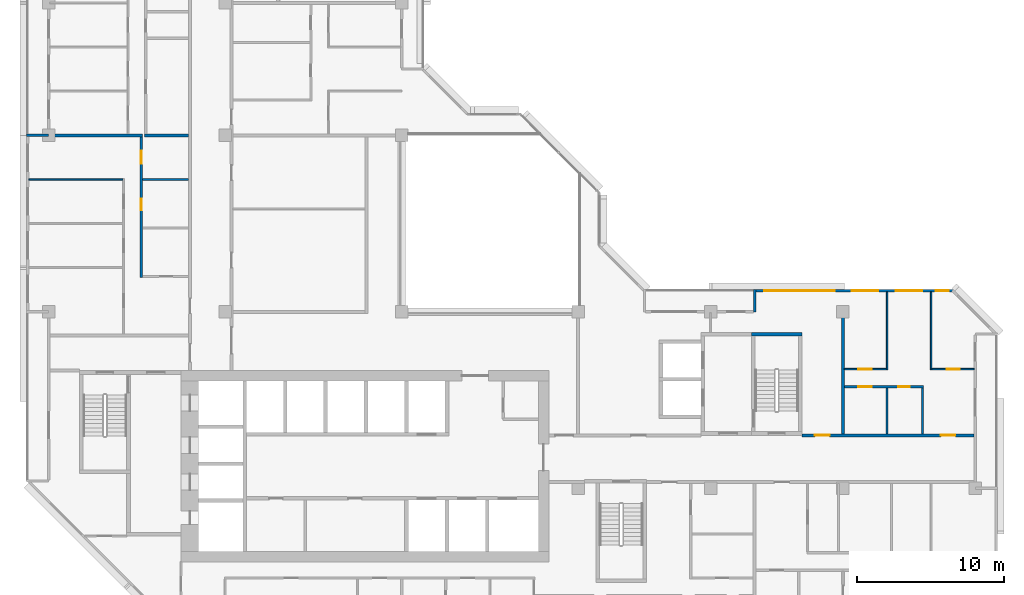
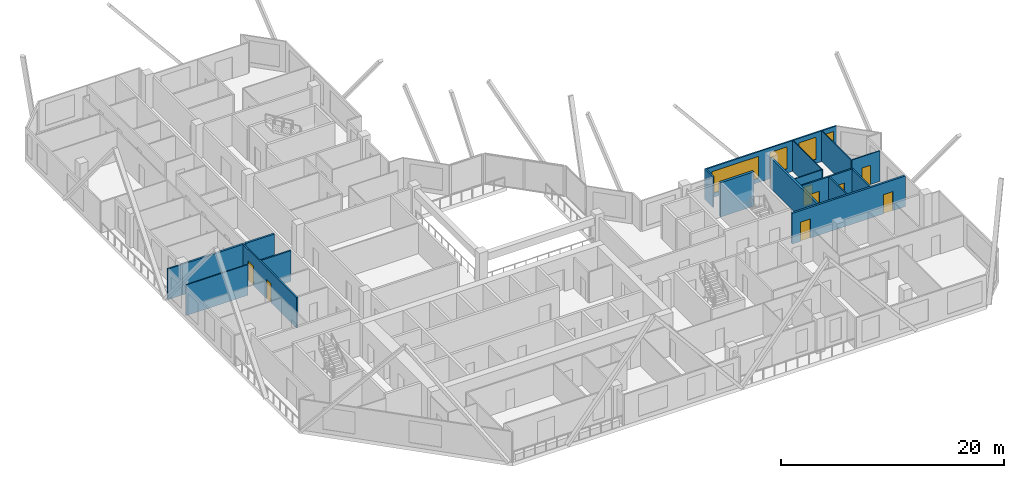
# One storey, part 8 of 15: 18 walls, 8 doors, 4 windows, 12 openings.
"""IFC4 building model written with IfcOpenShell, lengths in metres."""

from ifc_helpers import new_model, si_unit, direction, frame, frame_2d, origin, place, context, subcontext, project, spatial, rectangle, extrude, material, layer, layer_set, type_object, element, fill, save


model = new_model("IFC4")

# Units and contexts
model_context = context("Model", 3, precision=1e-05, world=origin(), true_north=direction((0.0, 1.0)))
body_context = subcontext(model_context, "Body", "Model", "MODEL_VIEW")
ifc_project = project(units=[si_unit("LENGTHUNIT", "METRE"), si_unit("AREAUNIT", "SQUARE_METRE"), si_unit("VOLUMEUNIT", "CUBIC_METRE"), si_unit("PLANEANGLEUNIT", "RADIAN"), si_unit("MASSUNIT", "GRAM", prefix="KILO")], contexts=[model_context])

# Site, building, storey
site_placement = place(None, origin())
site = spatial("IfcSite", under=ifc_project, at=site_placement, CompositionType="ELEMENT")
building_placement = place(site_placement, origin())
building = spatial("IfcBuilding", under=site, at=building_placement, Name="Chenar Terraces", CompositionType="ELEMENT")
storey_placement = place(building_placement, frame((0.0, 0.0, 245.39990234375)))
storey = spatial("IfcBuildingStorey", under=building, at=storey_placement, Name="L58", CompositionType="ELEMENT", Elevation=245.39990234375)

# Wall
ifc_material_1 = material(Name="Concrete C60/75", Category="concrete")
ifc_layer_1 = layer(ifc_material_1, 0.25)
ifc_layer_set_1 = layer_set([ifc_layer_1], Name="Concrete C60/75")
wall_type_1 = type_object("IfcWallType", Name="Core wall 250 Concrete C60/75", PredefinedType="SHEAR", material=ifc_layer_set_1)
wall_1_placement = place(storey_placement, frame((47.77490234375, 22.47509765625, 0.0), z_axis=(0.0, 0.0, 1.0), x_axis=(1.0, 0.0, 0.0)))
element("IfcWall", 1, at=wall_1_placement, inside=storey, type_object=wall_type_1, Name="Core wall ST3_N L58", PredefinedType="SHEAR", context=body_context, shape_type="SweptSolid", body=[
    extrude(rectangle(XDim=3.4501953125, YDim=0.25, at=frame_2d((1.72509765625, 0.0))), origin(), (0.0, 0.0, 1.0), 3.75),
])

# Wall, openings, doors
ifc_material_2 = material(Name="Gypsum board on steel studs with fire boards", Category="steel")
ifc_layer_2 = layer(ifc_material_2, 0.199951171875)
ifc_layer_set_2 = layer_set([ifc_layer_2], Name="Gypsum board on steel studs with fire boards")
wall_type_2 = type_object("IfcWallType", Name="Corridor wall 200", PredefinedType="PARTITIONING", material=ifc_layer_set_2)
wall_2_placement = place(storey_placement, frame((51.22509765625, 15.60009765625, 0.0), z_axis=(0.0, 0.0, 1.0), x_axis=(1.0, 0.0, 0.0)))
wall_2 = element("IfcWall", 2, at=wall_2_placement, inside=storey, type_object=wall_type_2, Name="Partition L58-078", PredefinedType="PARTITIONING", context=body_context, shape_type="SweptSolid", body=[
    extrude(rectangle(XDim=11.700927734375, YDim=0.199951171875, at=frame_2d((5.8505859375, 0.0))), origin(), (0.0, 0.0, 1.0), 3.35009765625),
])
opening_1_placement = place(wall_2_placement, frame((9.425048828125, 0.0, 0.0)))
opening_1 = element("IfcOpeningElement", 3, at=opening_1_placement, cuts=wall_2, Name="Opening DL58-8", PredefinedType="OPENING", context=body_context, shape_type="SweptSolid", body=[
    extrude(rectangle(XDim=1.0, YDim=2.10009765625, at=frame_2d((0.5, 1.050048828125))), frame((0.0, 0.10986328125, 0.0), z_axis=(0.0, -1.0, 0.0), x_axis=(1.0, 0.0, 0.0)), (0.0, 0.0, 1.0), 0.219970703125),
])
opening_2_placement = place(wall_2_placement, frame((0.875, 0.0, 0.0)))
opening_2 = element("IfcOpeningElement", 4, at=opening_2_placement, cuts=wall_2, Name="Opening DL58-45", PredefinedType="OPENING", context=body_context, shape_type="SweptSolid", body=[
    extrude(rectangle(XDim=1.0, YDim=2.10009765625, at=frame_2d((0.5, 1.050048828125))), frame((0.0, 0.10986328125, 0.0), z_axis=(0.0, -1.0, 0.0), x_axis=(1.0, 0.0, 0.0)), (0.0, 0.0, 1.0), 0.219970703125),
])
ifc_material_3 = material(Name="Steel-framed fire-resisting door leaf", Category="steel")
door_type_1 = type_object("IfcDoorType", Name="Fire door FD30S 1000 x 2100", OperationType="SINGLE_SWING_LEFT", PredefinedType="DOOR", material=ifc_material_3)
door_1_placement = place(opening_1_placement, origin())
door_1 = element("IfcDoor", 5, at=door_1_placement, inside=storey, type_object=door_type_1, Name="Door DL58-8", OperationType="SINGLE_SWING_LEFT", OverallHeight=2.10009765625, OverallWidth=1.0, PredefinedType="DOOR", context=body_context, shape_type="SweptSolid", body=[
    extrude(rectangle(XDim=1.0, YDim=2.10009765625, at=frame_2d((0.5, 1.050048828125))), frame((0.0, 0.02490234375, 0.0), z_axis=(0.0, -1.0, 0.0), x_axis=(1.0, 0.0, 0.0)), (0.0, 0.0, 1.0), 0.050048828125),
])
fill(opening_1, door_1)
door_2_placement = place(opening_2_placement, origin())
door_2 = element("IfcDoor", 6, at=door_2_placement, inside=storey, type_object=door_type_1, Name="Door DL58-45", OperationType="SINGLE_SWING_RIGHT", OverallHeight=2.10009765625, OverallWidth=1.0, PredefinedType="DOOR", context=body_context, shape_type="SweptSolid", body=[
    extrude(rectangle(XDim=1.0, YDim=2.10009765625, at=frame_2d((0.5, 1.050048828125))), frame((0.0, 0.02490234375, 0.0), z_axis=(0.0, -1.0, 0.0), x_axis=(1.0, 0.0, 0.0)), (0.0, 0.0, 1.0), 0.050048828125),
])
fill(opening_2, door_2)

# Wall, openings, windows
ifc_material_4 = material(Name="Aluminium framed glazing", Category="aluminium")
ifc_layer_3 = layer(ifc_material_4, 0.14990234375)
ifc_layer_set_3 = layer_set([ifc_layer_3], Name="Aluminium framed glazing")
wall_type_3 = type_object("IfcWallType", Name="Glazed flush facade wall 150", PredefinedType="SOLIDWALL", material=ifc_layer_set_3)
wall_3_placement = place(storey_placement, frame((61.5, 25.425048828125, 0.0), z_axis=(0.0, 0.0, 1.0), x_axis=(-1.0, 0.0, 0.0)))
wall_3 = element("IfcWall", 7, at=wall_3_placement, inside=storey, type_object=wall_type_3, Name="Glazed flush facade wall", PredefinedType="SOLIDWALL", context=body_context, shape_type="SweptSolid", body=[
    extrude(rectangle(XDim=13.425048828125, YDim=0.14990234375, at=frame_2d((6.71240234375, 0.0))), origin(), (0.0, 0.0, 1.0), 3.35009765625),
])
opening_3_placement = place(wall_3_placement, frame((0.300048828125, 0.0, 0.449951171875)))
opening_3 = element("IfcOpeningElement", 8, at=opening_3_placement, cuts=wall_3, Name="Opening W90x240", PredefinedType="OPENING", context=body_context, shape_type="SweptSolid", body=[
    extrude(rectangle(XDim=0.89990234375, YDim=2.39990234375, at=frame_2d((0.449951171875, 1.199951171875))), frame((0.0, 0.0849609375, 0.0), z_axis=(0.0, -1.0, 0.0), x_axis=(1.0, 0.0, 0.0)), (0.0, 0.0, 1.0), 0.169921875),
])
opening_4_placement = place(wall_3_placement, frame((2.10009765625, 0.0, 0.449951171875)))
opening_4 = element("IfcOpeningElement", 9, at=opening_4_placement, cuts=wall_3, Name="Opening W180x240", PredefinedType="OPENING", context=body_context, shape_type="SweptSolid", body=[
    extrude(rectangle(XDim=1.800048828125, YDim=2.39990234375, at=frame_2d((0.89990234375, 1.199951171875))), frame((0.0, 0.0849609375, 0.0), z_axis=(0.0, -1.0, 0.0), x_axis=(1.0, 0.0, 0.0)), (0.0, 0.0, 1.0), 0.169921875),
])
opening_5_placement = place(wall_3_placement, frame((5.10009765625, 0.0, 0.449951171875)))
opening_5 = element("IfcOpeningElement", 10, at=opening_5_placement, cuts=wall_3, Name="Opening W180x240", PredefinedType="OPENING", context=body_context, shape_type="SweptSolid", body=[
    extrude(rectangle(XDim=1.800048828125, YDim=2.39990234375, at=frame_2d((0.89990234375, 1.199951171875))), frame((0.0, 0.0849609375, 0.0), z_axis=(0.0, -1.0, 0.0), x_axis=(1.0, 0.0, 0.0)), (0.0, 0.0, 1.0), 0.169921875),
])
opening_6_placement = place(wall_3_placement, frame((8.0625, 0.0, 0.449951171875)))
opening_6 = element("IfcOpeningElement", 11, at=opening_6_placement, cuts=wall_3, Name="Opening W480x240", PredefinedType="OPENING", context=body_context, shape_type="SweptSolid", body=[
    extrude(rectangle(XDim=4.800048828125, YDim=2.39990234375, at=frame_2d((2.39990234375, 1.199951171875))), frame((0.0, 0.0849609375, 0.0), z_axis=(0.0, -1.0, 0.0), x_axis=(1.0, 0.0, 0.0)), (0.0, 0.0, 1.0), 0.169921875),
])
ifc_material_5 = material(Name="Low emissivity double glazing, aluminium frame", Category="aluminium")
window_type_1 = type_object("IfcWindowType", Name="Fixed light 1800 x 2400", PartitioningType="SINGLE_PANEL", PredefinedType="WINDOW", material=ifc_material_5)
window_1_placement = place(opening_4_placement, origin())
window_1 = element("IfcWindow", 12, at=window_1_placement, inside=storey, type_object=window_type_1, Name="Window", OverallHeight=2.39990234375, OverallWidth=1.800048828125, PartitioningType="SINGLE_PANEL", PredefinedType="WINDOW", context=body_context, shape_type="SweptSolid", body=[
    extrude(rectangle(XDim=1.800048828125, YDim=2.39990234375, at=frame_2d((0.89990234375, 1.199951171875))), frame((0.0, 0.030029296875, 0.0), z_axis=(0.0, -1.0, 0.0), x_axis=(1.0, 0.0, 0.0)), (0.0, 0.0, 1.0), 0.06005859375),
])
fill(opening_4, window_1)
window_2_placement = place(opening_5_placement, origin())
window_2 = element("IfcWindow", 13, at=window_2_placement, inside=storey, type_object=window_type_1, Name="Window", OverallHeight=2.39990234375, OverallWidth=1.800048828125, PartitioningType="SINGLE_PANEL", PredefinedType="WINDOW", context=body_context, shape_type="SweptSolid", body=[
    extrude(rectangle(XDim=1.800048828125, YDim=2.39990234375, at=frame_2d((0.89990234375, 1.199951171875))), frame((0.0, 0.030029296875, 0.0), z_axis=(0.0, -1.0, 0.0), x_axis=(1.0, 0.0, 0.0)), (0.0, 0.0, 1.0), 0.06005859375),
])
fill(opening_5, window_2)
ifc_material_6 = material(Name="Low emissivity double glazing, aluminium frame", Category="aluminium")
window_type_2 = type_object("IfcWindowType", Name="Fixed light 4800 x 2400", PartitioningType="SINGLE_PANEL", PredefinedType="WINDOW", material=ifc_material_6)
window_3_placement = place(opening_6_placement, origin())
window_3 = element("IfcWindow", 14, at=window_3_placement, inside=storey, type_object=window_type_2, Name="Window", OverallHeight=2.39990234375, OverallWidth=4.800048828125, PartitioningType="SINGLE_PANEL", PredefinedType="WINDOW", context=body_context, shape_type="SweptSolid", body=[
    extrude(rectangle(XDim=4.800048828125, YDim=2.39990234375, at=frame_2d((2.39990234375, 1.199951171875))), frame((0.0, 0.030029296875, 0.0), z_axis=(0.0, -1.0, 0.0), x_axis=(1.0, 0.0, 0.0)), (0.0, 0.0, 1.0), 0.06005859375),
])
fill(opening_6, window_3)
ifc_material_7 = material(Name="Low emissivity double glazing, aluminium frame", Category="aluminium")
window_type_3 = type_object("IfcWindowType", Name="Fixed light 900 x 2400", PartitioningType="SINGLE_PANEL", PredefinedType="WINDOW", material=ifc_material_7)
window_4_placement = place(opening_3_placement, origin())
window_4 = element("IfcWindow", 15, at=window_4_placement, inside=storey, type_object=window_type_3, Name="Window", OverallHeight=2.39990234375, OverallWidth=0.89990234375, PartitioningType="SINGLE_PANEL", PredefinedType="WINDOW", context=body_context, shape_type="SweptSolid", body=[
    extrude(rectangle(XDim=0.89990234375, YDim=2.39990234375, at=frame_2d((0.449951171875, 1.199951171875))), frame((0.0, 0.030029296875, 0.0), z_axis=(0.0, -1.0, 0.0), x_axis=(1.0, 0.0, 0.0)), (0.0, 0.0, 1.0), 0.06005859375),
])
fill(opening_3, window_4)

# Wall
ifc_material_8 = material(Name="Gypsum board on steel studs", Category="steel")
ifc_layer_4 = layer(ifc_material_8, 0.10009765625)
ifc_layer_set_4 = layer_set([ifc_layer_4], Name="Gypsum board on steel studs")
wall_type_4 = type_object("IfcWallType", Name="Gypsum partition 100", PredefinedType="PARTITIONING", material=ifc_layer_set_4)
wall_4_placement = place(storey_placement, frame((-1.35009765625, 33.0, 0.0), z_axis=(0.0, 0.0, 1.0), x_axis=(1.0, 0.0, 0.0)))
element("IfcWall", 16, at=wall_4_placement, inside=storey, type_object=wall_type_4, Name="Partition L58-004", PredefinedType="PARTITIONING", context=body_context, shape_type="SweptSolid", body=[
    extrude(rectangle(XDim=6.400146484375, YDim=0.10009765625, at=frame_2d((3.2001953125, 0.0))), origin(), (0.0, 0.0, 1.0), 3.35009765625),
])

# Wall, opening, door
wall_5_placement = place(storey_placement, frame((54.10009765625, 20.10009765625, 0.0), z_axis=(0.0, 0.0, 1.0), x_axis=(1.0, 0.0, 0.0)))
wall_5 = element("IfcWall", 17, at=wall_5_placement, inside=storey, type_object=wall_type_4, Name="Partition L58-085", PredefinedType="PARTITIONING", context=body_context, shape_type="SweptSolid", body=[
    extrude(rectangle(XDim=2.849853515625, YDim=0.10009765625, at=frame_2d((1.4248046875, 0.0))), origin(), (0.0, 0.0, 1.0), 3.35009765625),
])
opening_7_placement = place(wall_5_placement, frame((0.949951171875, 0.0, 0.0)))
opening_7 = element("IfcOpeningElement", 18, at=opening_7_placement, cuts=wall_5, Name="Opening DL58-5", PredefinedType="OPENING", context=body_context, shape_type="SweptSolid", body=[
    extrude(rectangle(XDim=0.89990234375, YDim=2.10009765625, at=frame_2d((0.449951171875, 1.050048828125))), frame((0.0, 0.06005859375, 0.0), z_axis=(0.0, -1.0, 0.0), x_axis=(1.0, 0.0, 0.0)), (0.0, 0.0, 1.0), 0.1201171875),
])
ifc_material_9 = material(Name="Veneered timber door leaf", Category="wood")
door_type_2 = type_object("IfcDoorType", Name="Door 900 x 2100", OperationType="SINGLE_SWING_LEFT", PredefinedType="DOOR", material=ifc_material_9)
door_3_placement = place(opening_7_placement, origin())
door_3 = element("IfcDoor", 19, at=door_3_placement, inside=storey, type_object=door_type_2, Name="Door DL58-5", OperationType="SINGLE_SWING_RIGHT", OverallHeight=2.10009765625, OverallWidth=0.89990234375, PredefinedType="DOOR", context=body_context, shape_type="SweptSolid", body=[
    extrude(rectangle(XDim=0.89990234375, YDim=2.10009765625, at=frame_2d((0.449951171875, 1.050048828125))), frame((0.0, 0.02490234375, 0.0), z_axis=(0.0, -1.0, 0.0), x_axis=(1.0, 0.0, 0.0)), (0.0, 0.0, 1.0), 0.050048828125),
])
fill(opening_7, door_3)

# Walls
for number, where, z_axis, x_axis, name in (
    (20, (57.0, 20.050048828125, 0.0), (0.0, 0.0, 1.0), (0.0, 1.0, 0.0), "Partition L58-088"),
    (21, (60.0, 20.050048828125, 0.0), (0.0, 0.0, 1.0), (0.0, 1.0, 0.0), "Partition L58-092"),
):
    element("IfcWall", number, at=place(storey_placement, frame(where, z_axis=z_axis, x_axis=x_axis)), inside=storey, type_object=wall_type_4, Name=name, PredefinedType="PARTITIONING", context=body_context, shape_type="SweptSolid", body=[
        extrude(rectangle(XDim=5.300048828125, YDim=0.10009765625, at=frame_2d((2.64990234375, 0.0))), origin(), (0.0, 0.0, 1.0), 3.35009765625),
    ])

# Wall, opening, door
wall_6_placement = place(storey_placement, frame((60.050048828125, 20.10009765625, 0.0), z_axis=(0.0, 0.0, 1.0), x_axis=(1.0, 0.0, 0.0)))
wall_6 = element("IfcWall", 22, at=wall_6_placement, inside=storey, type_object=wall_type_4, Name="Partition L58-093", PredefinedType="PARTITIONING", context=body_context, shape_type="SweptSolid", body=[
    extrude(rectangle(XDim=2.8759765625, YDim=0.10009765625, at=frame_2d((1.43798828125, 0.0))), origin(), (0.0, 0.0, 1.0), 3.35009765625),
])
opening_8_placement = place(wall_6_placement, frame((1.0, 0.0, 0.0)))
opening_8 = element("IfcOpeningElement", 23, at=opening_8_placement, cuts=wall_6, Name="Opening DL58-6", PredefinedType="OPENING", context=body_context, shape_type="SweptSolid", body=[
    extrude(rectangle(XDim=0.89990234375, YDim=2.10009765625, at=frame_2d((0.449951171875, 1.050048828125))), frame((0.0, 0.06005859375, 0.0), z_axis=(0.0, -1.0, 0.0), x_axis=(1.0, 0.0, 0.0)), (0.0, 0.0, 1.0), 0.1201171875),
])
door_4_placement = place(opening_8_placement, origin())
door_4 = element("IfcDoor", 24, at=door_4_placement, inside=storey, type_object=door_type_2, Name="Door DL58-6", OperationType="SINGLE_SWING_RIGHT", OverallHeight=2.10009765625, OverallWidth=0.89990234375, PredefinedType="DOOR", context=body_context, shape_type="SweptSolid", body=[
    extrude(rectangle(XDim=0.89990234375, YDim=2.10009765625, at=frame_2d((0.449951171875, 1.050048828125))), frame((0.0, 0.02490234375, 0.0), z_axis=(0.0, -1.0, 0.0), x_axis=(1.0, 0.0, 0.0)), (0.0, 0.0, 1.0), 0.050048828125),
])
fill(opening_8, door_4)

# Walls
ifc_material_10 = material(Name="Terracotta cladding on insulated backing", Category="masonry")
ifc_layer_5 = layer(ifc_material_10, 0.14990234375)
ifc_layer_set_5 = layer_set([ifc_layer_5], Name="Terracotta cladding on insulated backing")
wall_type_5 = type_object("IfcWallType", Name="Loggia return wall 150", PredefinedType="SOLIDWALL", material=ifc_layer_set_5)
for number, where, z_axis, x_axis, name in (
    (25, (48.0, 25.5, 0.0), (0.0, 0.0, 1.0), (0.0, -1.0, 0.0), "Loggia return wall"),
    (26, (-1.5, 36.0, 0.0), (0.0, 0.0, 1.0), (1.0, 0.0, 0.0), "Loggia return wall"),
):
    element("IfcWall", number, at=place(storey_placement, frame(where, z_axis=z_axis, x_axis=x_axis)), inside=storey, type_object=wall_type_5, Name=name, PredefinedType="SOLIDWALL", context=body_context, shape_type="SweptSolid", body=[
        extrude(rectangle(XDim=1.5, YDim=0.14990234375, at=frame_2d((0.75, 0.0))), origin(), (0.0, 0.0, 1.0), 3.35009765625),
    ])
ifc_material_11 = material(Name="Twin gypsum board on steel studs with mineral wool", Category="steel")
ifc_layer_6 = layer(ifc_material_11, 0.199951171875)
ifc_layer_set_6 = layer_set([ifc_layer_6], Name="Twin gypsum board on steel studs with mineral wool")
wall_type_6 = type_object("IfcWallType", Name="Unit demising wall 200", PredefinedType="PARTITIONING", material=ifc_layer_set_6)
wall_7_placement = place(storey_placement, frame((0.0, 36.0, 0.0), z_axis=(0.0, 0.0, 1.0), x_axis=(1.0, 0.0, 0.0)))
element("IfcWall", 27, at=wall_7_placement, inside=storey, type_object=wall_type_6, Name="Partition L58-005", PredefinedType="PARTITIONING", context=body_context, shape_type="SweptSolid", body=[
    extrude(rectangle(XDim=6.375, YDim=0.199951171875, at=frame_2d((3.1875, 0.0))), origin(), (0.0, 0.0, 1.0), 3.35009765625),
])
wall_8_placement = place(storey_placement, frame((6.52490234375, 36.0, 0.0), z_axis=(0.0, 0.0, 1.0), x_axis=(1.0, 0.0, 0.0)))
element("IfcWall", 28, at=wall_8_placement, inside=storey, type_object=wall_type_6, Name="Partition L58-021", PredefinedType="PARTITIONING", context=body_context, shape_type="SweptSolid", body=[
    extrude(rectangle(XDim=2.97509765625, YDim=0.199951171875, at=frame_2d((1.487548828125, 0.0))), origin(), (0.0, 0.0, 1.0), 3.35009765625),
])
wall_9_placement = place(storey_placement, frame((54.0, 15.699951171875, 0.0), z_axis=(0.0, 0.0, 1.0), x_axis=(0.0, 1.0, 0.0)))
element("IfcWall", 29, at=wall_9_placement, inside=storey, type_object=wall_type_6, Name="Partition L58-083", PredefinedType="PARTITIONING", context=body_context, shape_type="SweptSolid", body=[
    extrude(rectangle(XDim=8.300048828125, YDim=0.199951171875, at=frame_2d((4.14990234375, 0.0))), origin(), (0.0, 0.0, 1.0), 3.35009765625),
])

# Wall, openings, doors
ifc_material_12 = material(Name="Moisture-resistant gypsum board on steel studs", Category="steel")
ifc_layer_7 = layer(ifc_material_12, 0.14990234375)
ifc_layer_set_7 = layer_set([ifc_layer_7], Name="Moisture-resistant gypsum board on steel studs")
wall_type_7 = type_object("IfcWallType", Name="Wet-room partition 150", PredefinedType="PARTITIONING", material=ifc_layer_set_7)
wall_10_placement = place(storey_placement, frame((6.300048828125, 26.324951171875, 0.0), z_axis=(0.0, 0.0, 1.0), x_axis=(0.0, 1.0, 0.0)))
wall_10 = element("IfcWall", 30, at=wall_10_placement, inside=storey, type_object=wall_type_7, Name="Partition L58-017", PredefinedType="PARTITIONING", context=body_context, shape_type="SweptSolid", body=[
    extrude(rectangle(XDim=9.574951171875, YDim=0.14990234375, at=frame_2d((4.78759765625, 0.0))), origin(), (0.0, 0.0, 1.0), 3.35009765625),
])
opening_9_placement = place(wall_10_placement, frame((4.574951171875, 0.0, 0.0)))
opening_9 = element("IfcOpeningElement", 31, at=opening_9_placement, cuts=wall_10, Name="Opening DL58-60", PredefinedType="OPENING", context=body_context, shape_type="SweptSolid", body=[
    extrude(rectangle(XDim=0.800048828125, YDim=2.10009765625, at=frame_2d((0.39990234375, 1.050048828125))), frame((0.0, 0.0849609375, 0.0), z_axis=(0.0, -1.0, 0.0), x_axis=(1.0, 0.0, 0.0)), (0.0, 0.0, 1.0), 0.169921875),
])
opening_10_placement = place(wall_10_placement, frame((7.72509765625, 0.0, 0.0)))
opening_10 = element("IfcOpeningElement", 32, at=opening_10_placement, cuts=wall_10, Name="Opening DL58-64", PredefinedType="OPENING", context=body_context, shape_type="SweptSolid", body=[
    extrude(rectangle(XDim=0.89990234375, YDim=2.10009765625, at=frame_2d((0.449951171875, 1.050048828125))), frame((0.0, 0.0849609375, 0.0), z_axis=(0.0, -1.0, 0.0), x_axis=(1.0, 0.0, 0.0)), (0.0, 0.0, 1.0), 0.169921875),
])
ifc_material_13 = material(Name="Veneered timber door leaf", Category="wood")
door_type_3 = type_object("IfcDoorType", Name="Door 800 x 2100", OperationType="SINGLE_SWING_LEFT", PredefinedType="DOOR", material=ifc_material_13)
door_5_placement = place(opening_9_placement, frame((0.800048828125, 0.0, 0.0), z_axis=(0.0, 0.0, 1.0), x_axis=(-1.0, 0.0, 0.0)))
door_5 = element("IfcDoor", 33, at=door_5_placement, inside=storey, type_object=door_type_3, Name="Door DL58-60", OperationType="SINGLE_SWING_RIGHT", OverallHeight=2.10009765625, OverallWidth=0.800048828125, PredefinedType="DOOR", context=body_context, shape_type="SweptSolid", body=[
    extrude(rectangle(XDim=0.800048828125, YDim=2.10009765625, at=frame_2d((0.39990234375, 1.050048828125))), frame((0.0, 0.02490234375, 0.0), z_axis=(0.0, -1.0, 0.0), x_axis=(1.0, 0.0, 0.0)), (0.0, 0.0, 1.0), 0.050048828125),
])
fill(opening_9, door_5)
door_6_placement = place(opening_10_placement, frame((0.89990234375, 0.0, 0.0), z_axis=(0.0, 0.0, 1.0), x_axis=(-1.0, 0.0, 0.0)))
door_6 = element("IfcDoor", 34, at=door_6_placement, inside=storey, type_object=door_type_2, Name="Door DL58-64", OperationType="SINGLE_SWING_RIGHT", OverallHeight=2.10009765625, OverallWidth=0.89990234375, PredefinedType="DOOR", context=body_context, shape_type="SweptSolid", body=[
    extrude(rectangle(XDim=0.89990234375, YDim=2.10009765625, at=frame_2d((0.449951171875, 1.050048828125))), frame((0.0, 0.02490234375, 0.0), z_axis=(0.0, -1.0, 0.0), x_axis=(1.0, 0.0, 0.0)), (0.0, 0.0, 1.0), 0.050048828125),
])
fill(opening_10, door_6)

# Wall
wall_11_placement = place(storey_placement, frame((6.375, 33.0, 0.0), z_axis=(0.0, 0.0, 1.0), x_axis=(1.0, 0.0, 0.0)))
element("IfcWall", 35, at=wall_11_placement, inside=storey, type_object=wall_type_7, Name="Partition L58-020", PredefinedType="PARTITIONING", context=body_context, shape_type="SweptSolid", body=[
    extrude(rectangle(XDim=3.125, YDim=0.14990234375, at=frame_2d((1.5625, 0.0))), origin(), (0.0, 0.0, 1.0), 3.35009765625),
])

# Wall, openings, doors
wall_12_placement = place(storey_placement, frame((54.10009765625, 18.89990234375, 0.0), z_axis=(0.0, 0.0, 1.0), x_axis=(1.0, 0.0, 0.0)))
wall_12 = element("IfcWall", 36, at=wall_12_placement, inside=storey, type_object=wall_type_7, Name="Partition L58-084", PredefinedType="PARTITIONING", context=body_context, shape_type="SweptSolid", body=[
    extrude(rectangle(XDim=5.375, YDim=0.14990234375, at=frame_2d((2.6875, 0.0))), origin(), (0.0, 0.0, 1.0), 3.35009765625),
])
opening_11_placement = place(wall_12_placement, frame((3.64990234375, 0.0, 0.0)))
opening_11 = element("IfcOpeningElement", 37, at=opening_11_placement, cuts=wall_12, Name="Opening DL58-4", PredefinedType="OPENING", context=body_context, shape_type="SweptSolid", body=[
    extrude(rectangle(XDim=0.800048828125, YDim=2.10009765625, at=frame_2d((0.39990234375, 1.050048828125))), frame((0.0, 0.0849609375, 0.0), z_axis=(0.0, -1.0, 0.0), x_axis=(1.0, 0.0, 0.0)), (0.0, 0.0, 1.0), 0.169921875),
])
opening_12_placement = place(wall_12_placement, frame((0.949951171875, 0.0, 0.0)))
opening_12 = element("IfcOpeningElement", 38, at=opening_12_placement, cuts=wall_12, Name="Opening DL58-7", PredefinedType="OPENING", context=body_context, shape_type="SweptSolid", body=[
    extrude(rectangle(XDim=0.89990234375, YDim=2.10009765625, at=frame_2d((0.449951171875, 1.050048828125))), frame((0.0, 0.0849609375, 0.0), z_axis=(0.0, -1.0, 0.0), x_axis=(1.0, 0.0, 0.0)), (0.0, 0.0, 1.0), 0.169921875),
])
door_7_placement = place(opening_11_placement, frame((0.800048828125, 0.0, 0.0), z_axis=(0.0, 0.0, 1.0), x_axis=(-1.0, 0.0, 0.0)))
door_7 = element("IfcDoor", 39, at=door_7_placement, inside=storey, type_object=door_type_3, Name="Door DL58-4", OperationType="SINGLE_SWING_RIGHT", OverallHeight=2.10009765625, OverallWidth=0.800048828125, PredefinedType="DOOR", context=body_context, shape_type="SweptSolid", body=[
    extrude(rectangle(XDim=0.800048828125, YDim=2.10009765625, at=frame_2d((0.39990234375, 1.050048828125))), frame((0.0, 0.02490234375, 0.0), z_axis=(0.0, -1.0, 0.0), x_axis=(1.0, 0.0, 0.0)), (0.0, 0.0, 1.0), 0.050048828125),
])
fill(opening_11, door_7)
door_8_placement = place(opening_12_placement, frame((0.89990234375, 0.0, 0.0), z_axis=(0.0, 0.0, 1.0), x_axis=(-1.0, 0.0, 0.0)))
door_8 = element("IfcDoor", 40, at=door_8_placement, inside=storey, type_object=door_type_2, Name="Door DL58-7", OperationType="SINGLE_SWING_LEFT", OverallHeight=2.10009765625, OverallWidth=0.89990234375, PredefinedType="DOOR", context=body_context, shape_type="SweptSolid", body=[
    extrude(rectangle(XDim=0.89990234375, YDim=2.10009765625, at=frame_2d((0.449951171875, 1.050048828125))), frame((0.0, 0.02490234375, 0.0), z_axis=(0.0, -1.0, 0.0), x_axis=(1.0, 0.0, 0.0)), (0.0, 0.0, 1.0), 0.050048828125),
])
fill(opening_12, door_8)

# Walls
for number, where, z_axis, x_axis, name in (
    (41, (57.0, 15.699951171875, 0.0), (0.0, 0.0, 1.0), (0.0, 1.0, 0.0), "Partition L58-087"),
    (42, (59.39990234375, 15.699951171875, 0.0), (0.0, 0.0, 1.0), (0.0, 1.0, 0.0), "Partition L58-090"),
):
    element("IfcWall", number, at=place(storey_placement, frame(where, z_axis=z_axis, x_axis=x_axis)), inside=storey, type_object=wall_type_7, Name=name, PredefinedType="PARTITIONING", context=body_context, shape_type="SweptSolid", body=[
        extrude(rectangle(XDim=3.125, YDim=0.14990234375, at=frame_2d((1.5625, 0.0))), origin(), (0.0, 0.0, 1.0), 3.35009765625),
    ])

save(model, "model.ifc")
